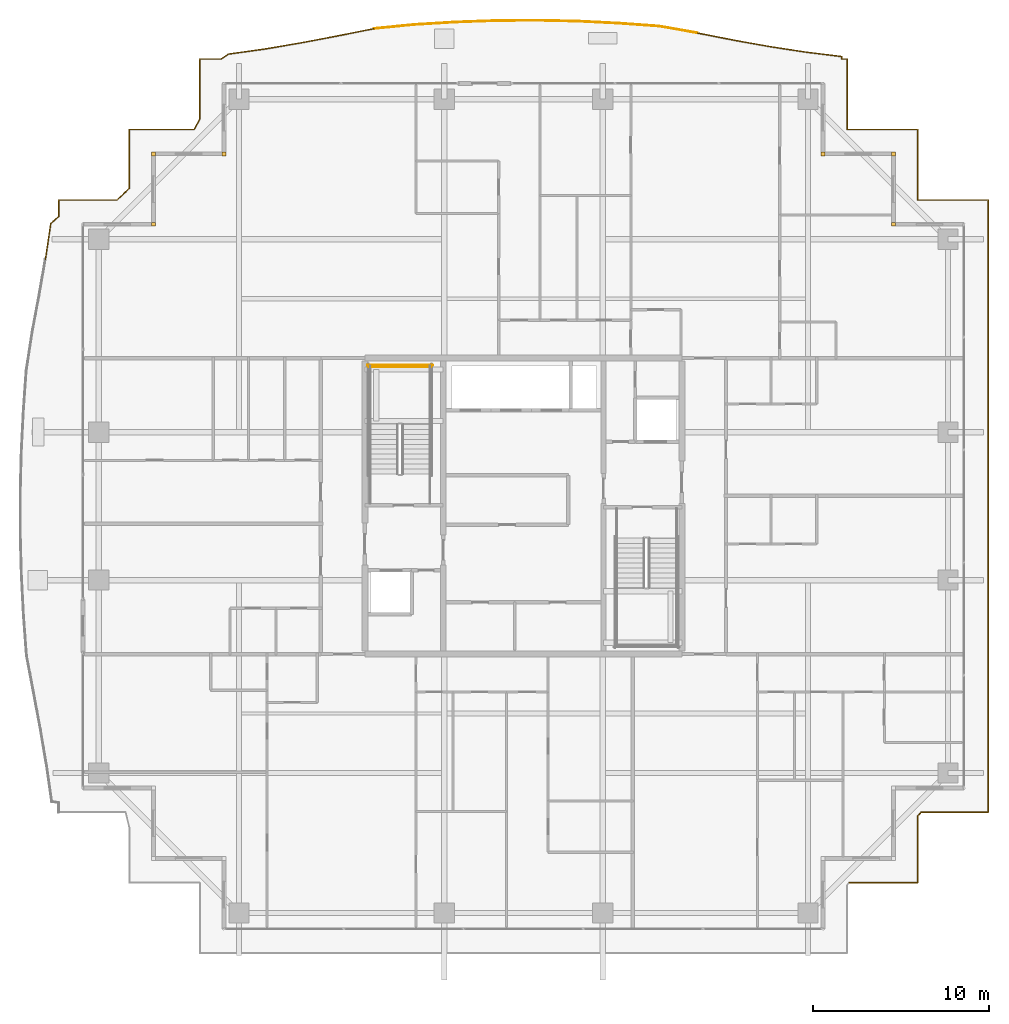
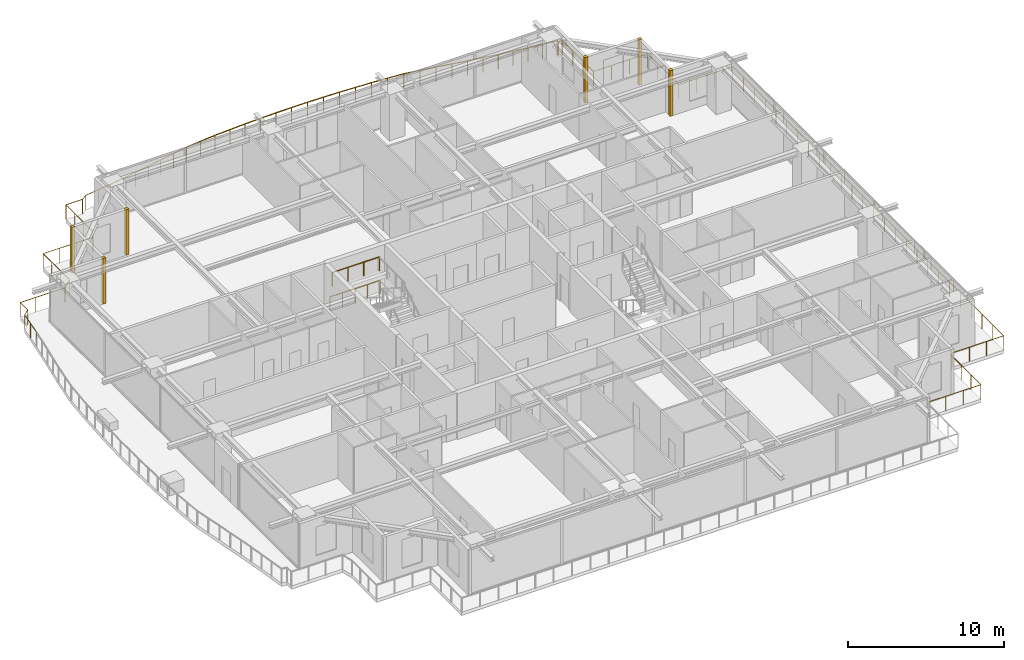
# One storey, part 38 of 38: 7 railings, 6 coverings.
"""IFC4 building model written with IfcOpenShell, lengths in metres."""

from ifc_helpers import new_model, si_unit, direction, frame, origin, origin_2d, place, context, subcontext, project, spatial, rectangle, circle, extrude, source, transform, mapped, material, layer, layer_set, type_object, element, save


model = new_model("IFC4")

# Units and contexts
model_context = context("Model", 3, precision=1e-05, world=origin(), true_north=direction((0.0, 1.0)))
body_context = subcontext(model_context, "Body", "Model", "MODEL_VIEW")
ifc_project = project(units=[si_unit("LENGTHUNIT", "METRE"), si_unit("AREAUNIT", "SQUARE_METRE"), si_unit("VOLUMEUNIT", "CUBIC_METRE"), si_unit("PLANEANGLEUNIT", "RADIAN"), si_unit("MASSUNIT", "GRAM", prefix="KILO")], contexts=[model_context])

# Site, building, storey
site_placement = place(None, origin())
site = spatial("IfcSite", under=ifc_project, at=site_placement, CompositionType="ELEMENT")
building_placement = place(site_placement, origin())
building = spatial("IfcBuilding", under=site, at=building_placement, Name="Serunith Strait Residences", CompositionType="ELEMENT")
storey_placement = place(building_placement, frame((0.0, 0.0, 268.199951171875)))
storey = spatial("IfcBuildingStorey", under=building, at=storey_placement, Name="L67", CompositionType="ELEMENT", Elevation=268.199951171875)

# Railings
ifc_material_1 = material(Name="Stainless Steel & Laminated Glass Balustrade", Category="steel")
railing_type_1 = type_object("IfcRailingType", Name="RLG-BALC-1150", PredefinedType="BALUSTRADE", material=ifc_material_1)
railing_1_placement = place(storey_placement, frame((5.26708984375, 39.21875, -0.050048828125)))
element("IfcRailing", 1, at=railing_1_placement, inside=storey, type_object=railing_type_1, Name="L67 Swirling Balcony Perimeter Balustrade 3", PredefinedType="BALUSTRADE", context=body_context, shape_type="SweptSolid", body=[
    extrude(circle(Radius=0.02392578125, at=origin_2d()), frame((0.000244140625, 0.001953125, 1.1259765625), z_axis=(0.148183683487, 0.98895985558, 0.0), x_axis=(-0.98895985558, 0.148183683487, 0.0)), (0.0, 0.0, 1.0), 2.05224609375),
    extrude(circle(Radius=0.02392578125, at=origin_2d()), frame((0.30615234375, 2.03466796875, 1.1259765625), z_axis=(0.763496688996, 0.645811741836, 0.0), x_axis=(-0.645811741836, 0.763496688996, 0.0)), (0.0, 0.0, 1.0), 0.5830078125),
    extrude(circle(Radius=0.02392578125, at=origin_2d()), frame((0.7529296875, 2.41455078125, 1.1259765625), z_axis=(0.0, 1.0, 0.0), x_axis=(-1.0, 0.0, 0.0)), (0.0, 0.0, 1.0), 0.94482421875),
    extrude(circle(Radius=0.02392578125, at=origin_2d()), frame((0.7548828125, 3.361328125, 1.1259765625), z_axis=(1.0, 0.0, 0.0), x_axis=(0.0, 1.0, 0.0)), (0.0, 0.0, 1.0), 3.30419921875),
    extrude(circle(Radius=0.02392578125, at=origin_2d()), frame((4.0625, 3.36279296875, 1.1259765625), z_axis=(0.730420716407, 0.68299749417, 0.0), x_axis=(-0.68299749417, 0.730420716407, 0.0)), (0.0, 0.0, 1.0), 0.943359375),
    extrude(circle(Radius=0.02392578125, at=origin_2d()), frame((4.7529296875, 4.01025390625, 1.1259765625), z_axis=(0.0, 1.0, 0.0), x_axis=(-1.0, 0.0, 0.0)), (0.0, 0.0, 1.0), 3.34912109375),
    extrude(circle(Radius=0.02392578125, at=origin_2d()), frame((4.7548828125, 7.361328125, 1.1259765625), z_axis=(1.0, 0.0, 0.0), x_axis=(0.0, 1.0, 0.0)), (0.0, 0.0, 1.0), 3.6826171875),
    extrude(circle(Radius=0.02099609375, at=origin_2d()), origin(), (0.0, 0.0, 1.0), 1.099853515625),
    extrude(circle(Radius=0.02099609375, at=origin_2d()), frame((0.15234375, 1.0166015625, 0.0)), (0.0, 0.0, 1.0), 1.099853515625),
    extrude(circle(Radius=0.02099609375, at=origin_2d()), frame((0.3046875, 2.033447265625, 0.0)), (0.0, 0.0, 1.0), 1.099853515625),
    extrude(circle(Radius=0.02099609375, at=origin_2d()), frame((0.7529296875, 2.41259765625, 0.0)), (0.0, 0.0, 1.0), 1.099853515625),
    extrude(circle(Radius=0.02099609375, at=origin_2d()), frame((0.7529296875, 3.361328125, 0.0)), (0.0, 0.0, 1.0), 1.099853515625),
    extrude(circle(Radius=0.02099609375, at=origin_2d()), frame((1.855712890625, 3.361328125, 0.0)), (0.0, 0.0, 1.0), 1.099853515625),
    extrude(circle(Radius=0.02099609375, at=origin_2d()), frame((2.958251953125, 3.361328125, 0.0)), (0.0, 0.0, 1.0), 1.099853515625),
    extrude(circle(Radius=0.02099609375, at=origin_2d()), frame((4.06103515625, 3.361328125, 0.0)), (0.0, 0.0, 1.0), 1.099853515625),
    extrude(circle(Radius=0.02099609375, at=origin_2d()), frame((4.7529296875, 4.00830078125, 0.0)), (0.0, 0.0, 1.0), 1.099853515625),
    extrude(circle(Radius=0.02099609375, at=origin_2d()), frame((4.7529296875, 5.1259765625, 0.0)), (0.0, 0.0, 1.0), 1.099853515625),
    extrude(circle(Radius=0.02099609375, at=origin_2d()), frame((4.7529296875, 6.24365234375, 0.0)), (0.0, 0.0, 1.0), 1.099853515625),
    extrude(circle(Radius=0.02099609375, at=origin_2d()), frame((4.7529296875, 7.361328125, 0.0)), (0.0, 0.0, 1.0), 1.099853515625),
    extrude(circle(Radius=0.02099609375, at=origin_2d()), frame((5.981689453125, 7.361328125, 0.0)), (0.0, 0.0, 1.0), 1.099853515625),
    extrude(circle(Radius=0.02099609375, at=origin_2d()), frame((7.210693359375, 7.361328125, 0.0)), (0.0, 0.0, 1.0), 1.099853515625),
    extrude(circle(Radius=0.02099609375, at=origin_2d()), frame((8.439453125, 7.361328125, 0.0)), (0.0, 0.0, 1.0), 1.099853515625),
])
railing_2_placement = place(storey_placement, frame((13.70654296875, 46.580078125, -0.050048828125)))
element("IfcRailing", 2, at=railing_2_placement, inside=storey, type_object=railing_type_1, Name="L67 Swirling Balcony Perimeter Balustrade 4", PredefinedType="BALUSTRADE", context=body_context, shape_type="SweptSolid", body=[
    extrude(circle(Radius=0.02392578125, at=origin_2d()), frame((0.0009765625, 0.001708984375, 1.1259765625), z_axis=(0.483754465912, 0.875203757253, 0.0), x_axis=(-0.875203757253, 0.483754465912, 0.0)), (0.0, 0.0, 1.0), 0.64404296875),
    extrude(circle(Radius=0.02392578125, at=origin_2d()), frame((0.3134765625, 0.569091796875, 1.1259765625), z_axis=(0.0, 1.0, 0.0), x_axis=(-1.0, 0.0, 0.0)), (0.0, 0.0, 1.0), 3.428955078125),
    extrude(circle(Radius=0.02392578125, at=origin_2d()), frame((0.3154296875, 4.0, 1.1259765625), z_axis=(1.0, 0.0, 0.0), x_axis=(0.0, 1.0, 0.0)), (0.0, 0.0, 1.0), 1.221923828125),
    extrude(circle(Radius=0.02392578125, at=origin_2d()), frame((1.541015625, 4.001220703125, 1.1259765625), z_axis=(0.820489937857, 0.571660967599, 0.0), x_axis=(-0.571660967599, 0.820489937857, 0.0)), (0.0, 0.0, 1.0), 0.487548828125),
    extrude(circle(Radius=0.02392578125, at=origin_2d()), frame((1.944580078125, 4.28125, 1.1259765625), z_axis=(0.990403373105, 0.138206941008, 0.0), x_axis=(-0.138206941008, 0.990403373105, 0.0)), (0.0, 0.0, 1.0), 2.0380859375),
    extrude(circle(Radius=0.02392578125, at=origin_2d()), frame((3.967041015625, 4.5634765625, 1.1259765625), z_axis=(0.986134504275, 0.165948002334, 0.0), x_axis=(-0.165948002334, 0.986134504275, 0.0)), (0.0, 0.0, 1.0), 2.06591796875),
    extrude(circle(Radius=0.02392578125, at=origin_2d()), frame((6.00830078125, 4.9072265625, 1.1259765625), z_axis=(0.982336546839, 0.18712271039, 0.0), x_axis=(-0.18712271039, 0.982336546839, 0.0)), (0.0, 0.0, 1.0), 2.1123046875),
    extrude(circle(Radius=0.02392578125, at=origin_2d()), frame((8.087158203125, 5.30322265625, 1.1259765625), z_axis=(0.980834105558, 0.194844700659, 0.0), x_axis=(-0.194844700659, 0.980834105558, 0.0)), (0.0, 0.0, 1.0), 2.175048828125),
    extrude(circle(Radius=0.02099609375, at=origin_2d()), origin(), (0.0, 0.0, 1.0), 1.099853515625),
    extrude(circle(Radius=0.02099609375, at=origin_2d()), frame((0.3134765625, 0.567138671875, 0.0)), (0.0, 0.0, 1.0), 1.099853515625),
    extrude(circle(Radius=0.02099609375, at=origin_2d()), frame((0.3134765625, 1.71142578125, 0.0)), (0.0, 0.0, 1.0), 1.099853515625),
    extrude(circle(Radius=0.02099609375, at=origin_2d()), frame((0.3134765625, 2.855712890625, 0.0)), (0.0, 0.0, 1.0), 1.099853515625),
    extrude(circle(Radius=0.02099609375, at=origin_2d()), frame((0.3134765625, 4.0, 0.0)), (0.0, 0.0, 1.0), 1.099853515625),
    extrude(circle(Radius=0.02099609375, at=origin_2d()), frame((1.539306640625, 4.0, 0.0)), (0.0, 0.0, 1.0), 1.099853515625),
    extrude(circle(Radius=0.02099609375, at=origin_2d()), frame((1.942626953125, 4.281005859375, 0.0)), (0.0, 0.0, 1.0), 1.099853515625),
    extrude(circle(Radius=0.02099609375, at=origin_2d()), frame((2.953857421875, 4.422119140625, 0.0)), (0.0, 0.0, 1.0), 1.099853515625),
    extrude(circle(Radius=0.02099609375, at=origin_2d()), frame((3.965087890625, 4.563232421875, 0.0)), (0.0, 0.0, 1.0), 1.099853515625),
    extrude(circle(Radius=0.02099609375, at=origin_2d()), frame((4.98583984375, 4.73486328125, 0.0)), (0.0, 0.0, 1.0), 1.099853515625),
    extrude(circle(Radius=0.02099609375, at=origin_2d()), frame((6.00634765625, 4.90673828125, 0.0)), (0.0, 0.0, 1.0), 1.099853515625),
    extrude(circle(Radius=0.02099609375, at=origin_2d()), frame((7.0458984375, 5.104736328125, 0.0)), (0.0, 0.0, 1.0), 1.099853515625),
    extrude(circle(Radius=0.02099609375, at=origin_2d()), frame((8.085205078125, 5.302734375, 0.0)), (0.0, 0.0, 1.0), 1.099853515625),
    extrude(circle(Radius=0.02099609375, at=origin_2d()), frame((9.15380859375, 5.51513671875, 0.0)), (0.0, 0.0, 1.0), 1.099853515625),
    extrude(circle(Radius=0.02099609375, at=origin_2d()), frame((10.222412109375, 5.727294921875, 0.0)), (0.0, 0.0, 1.0), 1.099853515625),
])
railing_3_placement = place(storey_placement, frame((23.928955078125, 52.307373046875, -0.050048828125)))
element("IfcRailing", 3, at=railing_3_placement, inside=storey, type_object=railing_type_1, Name="L67 Swirling Balcony Perimeter Balustrade 5", PredefinedType="BALUSTRADE", context=body_context, shape_type="SweptSolid", body=[
    extrude(circle(Radius=0.02392578125, at=origin_2d()), frame((0.001953125, 0.000244140625, 1.1259765625), z_axis=(0.995183293073, 0.098031694815, 0.0), x_axis=(-0.098031694815, 0.995183293073, 0.0)), (0.0, 0.0, 1.0), 2.26220703125),
    extrude(circle(Radius=0.02392578125, at=origin_2d()), frame((2.25732421875, 0.22216796875, 1.1259765625), z_axis=(0.998137608093, 0.061002584458, 0.0), x_axis=(-0.061002584458, 0.998137608093, 0.0)), (0.0, 0.0, 1.0), 2.30517578125),
    extrude(circle(Radius=0.02392578125, at=origin_2d()), frame((4.562255859375, 0.363037109375, 1.1259765625), z_axis=(0.999352147611, 0.035990068968, 0.0), x_axis=(-0.035990068968, 0.999352147611, 0.0)), (0.0, 0.0, 1.0), 2.32958984375),
    extrude(circle(Radius=0.02392578125, at=origin_2d()), frame((6.894287109375, 0.447021484375, 1.1259765625), z_axis=(0.999971899607, 0.007496665636, 0.0), x_axis=(-0.007496665636, 0.999971899607, 0.0)), (0.0, 0.0, 1.0), 2.3408203125),
    extrude(circle(Radius=0.02392578125, at=origin_2d()), frame((9.239013671875, 0.464599609375, 1.1259765625), z_axis=(0.999764527454, -0.02169999183, 0.0), x_axis=(0.02169999183, 0.999764527454, 0.0)), (0.0, 0.0, 1.0), 2.336181640625),
    extrude(circle(Radius=0.02392578125, at=origin_2d()), frame((11.57861328125, 0.413818359375, 1.1259765625), z_axis=(0.998793175385, -0.049114079489, 0.0), x_axis=(0.049114079489, 0.998793175385, 0.0)), (0.0, 0.0, 1.0), 2.3173828125),
    extrude(circle(Radius=0.02392578125, at=origin_2d()), frame((13.897216796875, 0.299560546875, 1.1259765625), z_axis=(0.997393917556, -0.072148272485, 0.0), x_axis=(0.072148272485, 0.997393917556, 0.0)), (0.0, 0.0, 1.0), 2.286865234375),
    extrude(circle(Radius=0.02392578125, at=origin_2d()), frame((16.18212890625, 0.13427734375, 1.1259765625), z_axis=(0.984781334143, -0.173797939931, 0.0), x_axis=(0.173797939931, 0.984781334143, 0.0)), (0.0, 0.0, 1.0), 2.20556640625),
    extrude(circle(Radius=0.02099609375, at=origin_2d()), origin(), (0.0, 0.0, 1.0), 1.099853515625),
    extrude(circle(Radius=0.02099609375, at=origin_2d()), frame((1.127685546875, 0.111083984375, 0.0)), (0.0, 0.0, 1.0), 1.099853515625),
    extrude(circle(Radius=0.02099609375, at=origin_2d()), frame((2.25537109375, 0.22216796875, 0.0)), (0.0, 0.0, 1.0), 1.099853515625),
    extrude(circle(Radius=0.02099609375, at=origin_2d()), frame((3.40771484375, 0.29248046875, 0.0)), (0.0, 0.0, 1.0), 1.099853515625),
    extrude(circle(Radius=0.02099609375, at=origin_2d()), frame((4.560302734375, 0.363037109375, 0.0)), (0.0, 0.0, 1.0), 1.099853515625),
    extrude(circle(Radius=0.02099609375, at=origin_2d()), frame((5.726318359375, 0.405029296875, 0.0)), (0.0, 0.0, 1.0), 1.099853515625),
    extrude(circle(Radius=0.02099609375, at=origin_2d()), frame((6.892333984375, 0.447021484375, 0.0)), (0.0, 0.0, 1.0), 1.099853515625),
    extrude(circle(Radius=0.02099609375, at=origin_2d()), frame((8.064697265625, 0.455810546875, 0.0)), (0.0, 0.0, 1.0), 1.099853515625),
    extrude(circle(Radius=0.02099609375, at=origin_2d()), frame((9.237060546875, 0.464599609375, 0.0)), (0.0, 0.0, 1.0), 1.099853515625),
    extrude(circle(Radius=0.02099609375, at=origin_2d()), frame((10.40673828125, 0.439208984375, 0.0)), (0.0, 0.0, 1.0), 1.099853515625),
    extrude(circle(Radius=0.02099609375, at=origin_2d()), frame((11.57666015625, 0.413818359375, 0.0)), (0.0, 0.0, 1.0), 1.099853515625),
    extrude(circle(Radius=0.02099609375, at=origin_2d()), frame((12.73583984375, 0.35693359375, 0.0)), (0.0, 0.0, 1.0), 1.099853515625),
    extrude(circle(Radius=0.02099609375, at=origin_2d()), frame((13.895263671875, 0.2998046875, 0.0)), (0.0, 0.0, 1.0), 1.099853515625),
    extrude(circle(Radius=0.02099609375, at=origin_2d()), frame((15.03759765625, 0.21728515625, 0.0)), (0.0, 0.0, 1.0), 1.099853515625),
    extrude(circle(Radius=0.02099609375, at=origin_2d()), frame((16.18017578125, 0.134521484375, 0.0)), (0.0, 0.0, 1.0), 1.099853515625),
    extrude(circle(Radius=0.02099609375, at=origin_2d()), frame((17.26806640625, -0.0576171875, 0.0)), (0.0, 0.0, 1.0), 1.099853515625),
    extrude(circle(Radius=0.02099609375, at=origin_2d()), frame((18.356201171875, -0.24951171875, 0.0)), (0.0, 0.0, 1.0), 1.099853515625),
])
railing_4_placement = place(storey_placement, frame((42.28515625, 52.057861328125, -0.050048828125)))
element("IfcRailing", 4, at=railing_4_placement, inside=storey, type_object=railing_type_1, Name="L67 Swirling Balcony Perimeter Balustrade 6", PredefinedType="BALUSTRADE", context=body_context, shape_type="SweptSolid", body=[
    extrude(circle(Radius=0.02392578125, at=origin_2d()), frame((0.001953125, -0.00048828125, 1.1259765625), z_axis=(0.981225288264, -0.19286506597, 0.0), x_axis=(0.19286506597, 0.981225288264, 0.0)), (0.0, 0.0, 1.0), 2.134033203125),
    extrude(circle(Radius=0.02392578125, at=origin_2d()), frame((2.099853515625, -0.41259765625, 1.1259765625), z_axis=(0.98436817176, -0.176122975295, 0.0), x_axis=(0.176122975295, 0.98436817176, 0.0)), (0.0, 0.0, 1.0), 2.080810546875),
    extrude(circle(Radius=0.02392578125, at=origin_2d()), frame((4.152099609375, -0.77978515625, 1.1259765625), z_axis=(0.988657697804, -0.150186406087, 0.0), x_axis=(0.150186406087, 0.988657697804, 0.0)), (0.0, 0.0, 1.0), 2.0458984375),
    extrude(circle(Radius=0.02392578125, at=origin_2d()), frame((6.1787109375, -1.087646484375, 1.1259765625), z_axis=(0.992550848916, -0.12183108108, 0.0), x_axis=(0.12183108108, 0.992550848916, 0.0)), (0.0, 0.0, 1.0), 2.028076171875),
    extrude(circle(Radius=0.02392578125, at=origin_2d()), frame((8.193603515625, -1.3369140625, 1.1259765625), z_axis=(-0.008546696379, -0.999963476324, 0.0), x_axis=(0.999963476324, -0.008546696379, 0.0)), (0.0, 0.0, 1.0), 0.138916015625),
    extrude(circle(Radius=0.02392578125, at=origin_2d()), frame((8.1943359375, -1.477783203125, 1.1259765625), z_axis=(1.0, 0.0, 0.0), x_axis=(0.0, 1.0, 0.0)), (0.0, 0.0, 1.0), 0.298583984375),
    extrude(circle(Radius=0.02392578125, at=origin_2d()), frame((8.494873046875, -1.479736328125, 1.1259765625), z_axis=(0.0, -1.0, 0.0), x_axis=(1.0, 0.0, 0.0)), (0.0, 0.0, 1.0), 3.99609375),
    extrude(circle(Radius=0.02099609375, at=origin_2d()), origin(), (0.0, 0.0, 1.0), 1.099853515625),
    extrude(circle(Radius=0.02099609375, at=origin_2d()), frame((1.048828125, -0.2060546875, 0.0)), (0.0, 0.0, 1.0), 1.099853515625),
    extrude(circle(Radius=0.02099609375, at=origin_2d()), frame((2.097900390625, -0.412353515625, 0.0)), (0.0, 0.0, 1.0), 1.099853515625),
    extrude(circle(Radius=0.02099609375, at=origin_2d()), frame((3.1240234375, -0.595947265625, 0.0)), (0.0, 0.0, 1.0), 1.099853515625),
    extrude(circle(Radius=0.02099609375, at=origin_2d()), frame((4.150146484375, -0.779541015625, 0.0)), (0.0, 0.0, 1.0), 1.099853515625),
    extrude(circle(Radius=0.02099609375, at=origin_2d()), frame((5.16357421875, -0.93359375, 0.0)), (0.0, 0.0, 1.0), 1.099853515625),
    extrude(circle(Radius=0.02099609375, at=origin_2d()), frame((6.1767578125, -1.08740234375, 0.0)), (0.0, 0.0, 1.0), 1.099853515625),
    extrude(circle(Radius=0.02099609375, at=origin_2d()), frame((7.18505859375, -1.211181640625, 0.0)), (0.0, 0.0, 1.0), 1.099853515625),
    extrude(circle(Radius=0.02099609375, at=origin_2d()), frame((8.193603515625, -1.3349609375, 0.0)), (0.0, 0.0, 1.0), 1.099853515625),
    extrude(circle(Radius=0.02099609375, at=origin_2d()), frame((8.1923828125, -1.477783203125, 0.0)), (0.0, 0.0, 1.0), 1.099853515625),
    extrude(circle(Radius=0.02099609375, at=origin_2d()), frame((8.494873046875, -1.477783203125, 0.0)), (0.0, 0.0, 1.0), 1.099853515625),
    extrude(circle(Radius=0.02099609375, at=origin_2d()), frame((8.494873046875, -2.81103515625, 0.0)), (0.0, 0.0, 1.0), 1.099853515625),
    extrude(circle(Radius=0.02099609375, at=origin_2d()), frame((8.494873046875, -4.14453125, 0.0)), (0.0, 0.0, 1.0), 1.099853515625),
    extrude(circle(Radius=0.02099609375, at=origin_2d()), frame((8.494873046875, -5.477783203125, 0.0)), (0.0, 0.0, 1.0), 1.099853515625),
])
railing_5_placement = place(storey_placement, frame((50.780029296875, 46.580078125, -0.050048828125)))
element("IfcRailing", 5, at=railing_5_placement, inside=storey, type_object=railing_type_1, Name="L67 Swirling Balcony Perimeter Balustrade 7", PredefinedType="BALUSTRADE", context=body_context, shape_type="SweptSolid", body=[
    extrude(circle(Radius=0.02392578125, at=origin_2d()), frame((0.001953125, 0.0, 1.1259765625), z_axis=(1.0, 0.0, 0.0), x_axis=(0.0, 1.0, 0.0)), (0.0, 0.0, 1.0), 3.99609375),
    extrude(circle(Radius=0.02392578125, at=origin_2d()), frame((4.0, -0.001953125, 1.1259765625), z_axis=(0.0, -1.0, 0.0), x_axis=(1.0, 0.0, 0.0)), (0.0, 0.0, 1.0), 3.99609375),
    extrude(circle(Radius=0.02392578125, at=origin_2d()), frame((4.001953125, -4.0, 1.1259765625), z_axis=(1.0, 0.0, 0.0), x_axis=(0.0, 1.0, 0.0)), (0.0, 0.0, 1.0), 3.99609375),
    extrude(circle(Radius=0.02392578125, at=origin_2d()), frame((8.0, -4.001953125, 1.1259765625), z_axis=(0.0, -1.0, 0.0), x_axis=(1.0, 0.0, 0.0)), (0.0, 0.0, 1.0), 34.756103515625),
    extrude(circle(Radius=0.02392578125, at=origin_2d()), frame((7.998046875, -38.760009765625, 1.1259765625), z_axis=(-1.0, 0.0, 0.0), x_axis=(0.0, -1.0, 0.0)), (0.0, 0.0, 1.0), 3.801025390625),
    extrude(circle(Radius=0.02392578125, at=origin_2d()), frame((4.19384765625, -38.761474609375, 1.1259765625), z_axis=(-0.659789800433, -0.751450210756, 0.0), x_axis=(0.751450210756, -0.659789800433, 0.0)), (0.0, 0.0, 1.0), 0.291748046875),
    extrude(circle(Radius=0.02392578125, at=origin_2d()), frame((4.0, -38.984130859375, 1.1259765625), z_axis=(0.0, -1.0, 0.0), x_axis=(1.0, 0.0, 0.0)), (0.0, 0.0, 1.0), 3.77392578125),
    extrude(circle(Radius=0.02392578125, at=origin_2d()), frame((3.998046875, -42.760009765625, 1.1259765625), z_axis=(-1.0, 0.0, 0.0), x_axis=(0.0, -1.0, 0.0)), (0.0, 0.0, 1.0), 3.89501953125),
    extrude(circle(Radius=0.02099609375, at=origin_2d()), origin(), (0.0, 0.0, 1.0), 1.099853515625),
    extrude(circle(Radius=0.02099609375, at=origin_2d()), frame((1.333251953125, 0.0, 0.0)), (0.0, 0.0, 1.0), 1.099853515625),
    extrude(circle(Radius=0.02099609375, at=origin_2d()), frame((2.666748046875, 0.0, 0.0)), (0.0, 0.0, 1.0), 1.099853515625),
    extrude(circle(Radius=0.02099609375, at=origin_2d()), frame((4.0, 0.0, 0.0)), (0.0, 0.0, 1.0), 1.099853515625),
    extrude(circle(Radius=0.02099609375, at=origin_2d()), frame((4.0, -1.333251953125, 0.0)), (0.0, 0.0, 1.0), 1.099853515625),
    extrude(circle(Radius=0.02099609375, at=origin_2d()), frame((4.0, -2.666748046875, 0.0)), (0.0, 0.0, 1.0), 1.099853515625),
    extrude(circle(Radius=0.02099609375, at=origin_2d()), frame((4.0, -4.0, 0.0)), (0.0, 0.0, 1.0), 1.099853515625),
    extrude(circle(Radius=0.02099609375, at=origin_2d()), frame((5.333251953125, -4.0, 0.0)), (0.0, 0.0, 1.0), 1.099853515625),
    extrude(circle(Radius=0.02099609375, at=origin_2d()), frame((6.666748046875, -4.0, 0.0)), (0.0, 0.0, 1.0), 1.099853515625),
    extrude(circle(Radius=0.02099609375, at=origin_2d()), frame((8.0, -4.0, 0.0)), (0.0, 0.0, 1.0), 1.099853515625),
    extrude(circle(Radius=0.02099609375, at=origin_2d()), frame((8.0, -5.390380859375, 0.0)), (0.0, 0.0, 1.0), 1.099853515625),
    extrude(circle(Radius=0.02099609375, at=origin_2d()), frame((8.0, -6.78076171875, 0.0)), (0.0, 0.0, 1.0), 1.099853515625),
    extrude(circle(Radius=0.02099609375, at=origin_2d()), frame((8.0, -8.171142578125, 0.0)), (0.0, 0.0, 1.0), 1.099853515625),
    extrude(circle(Radius=0.02099609375, at=origin_2d()), frame((8.0, -9.5615234375, 0.0)), (0.0, 0.0, 1.0), 1.099853515625),
    extrude(circle(Radius=0.02099609375, at=origin_2d()), frame((8.0, -10.951904296875, 0.0)), (0.0, 0.0, 1.0), 1.099853515625),
    extrude(circle(Radius=0.02099609375, at=origin_2d()), frame((8.0, -12.34228515625, 0.0)), (0.0, 0.0, 1.0), 1.099853515625),
    extrude(circle(Radius=0.02099609375, at=origin_2d()), frame((8.0, -13.73291015625, 0.0)), (0.0, 0.0, 1.0), 1.099853515625),
    extrude(circle(Radius=0.02099609375, at=origin_2d()), frame((8.0, -15.123291015625, 0.0)), (0.0, 0.0, 1.0), 1.099853515625),
    extrude(circle(Radius=0.02099609375, at=origin_2d()), frame((8.0, -16.513671875, 0.0)), (0.0, 0.0, 1.0), 1.099853515625),
    extrude(circle(Radius=0.02099609375, at=origin_2d()), frame((8.0, -17.904052734375, 0.0)), (0.0, 0.0, 1.0), 1.099853515625),
    extrude(circle(Radius=0.02099609375, at=origin_2d()), frame((8.0, -19.29443359375, 0.0)), (0.0, 0.0, 1.0), 1.099853515625),
    extrude(circle(Radius=0.02099609375, at=origin_2d()), frame((8.0, -20.684814453125, 0.0)), (0.0, 0.0, 1.0), 1.099853515625),
    extrude(circle(Radius=0.02099609375, at=origin_2d()), frame((8.0, -22.0751953125, 0.0)), (0.0, 0.0, 1.0), 1.099853515625),
    extrude(circle(Radius=0.02099609375, at=origin_2d()), frame((8.0, -23.465576171875, 0.0)), (0.0, 0.0, 1.0), 1.099853515625),
    extrude(circle(Radius=0.02099609375, at=origin_2d()), frame((8.0, -24.85595703125, 0.0)), (0.0, 0.0, 1.0), 1.099853515625),
    extrude(circle(Radius=0.02099609375, at=origin_2d()), frame((8.0, -26.246337890625, 0.0)), (0.0, 0.0, 1.0), 1.099853515625),
    extrude(circle(Radius=0.02099609375, at=origin_2d()), frame((8.0, -27.63671875, 0.0)), (0.0, 0.0, 1.0), 1.099853515625),
    extrude(circle(Radius=0.02099609375, at=origin_2d()), frame((8.0, -29.027099609375, 0.0)), (0.0, 0.0, 1.0), 1.099853515625),
    extrude(circle(Radius=0.02099609375, at=origin_2d()), frame((8.0, -30.417724609375, 0.0)), (0.0, 0.0, 1.0), 1.099853515625),
    extrude(circle(Radius=0.02099609375, at=origin_2d()), frame((8.0, -31.80810546875, 0.0)), (0.0, 0.0, 1.0), 1.099853515625),
    extrude(circle(Radius=0.02099609375, at=origin_2d()), frame((8.0, -33.198486328125, 0.0)), (0.0, 0.0, 1.0), 1.099853515625),
    extrude(circle(Radius=0.02099609375, at=origin_2d()), frame((8.0, -34.5888671875, 0.0)), (0.0, 0.0, 1.0), 1.099853515625),
    extrude(circle(Radius=0.02099609375, at=origin_2d()), frame((8.0, -35.979248046875, 0.0)), (0.0, 0.0, 1.0), 1.099853515625),
    extrude(circle(Radius=0.02099609375, at=origin_2d()), frame((8.0, -37.36962890625, 0.0)), (0.0, 0.0, 1.0), 1.099853515625),
    extrude(circle(Radius=0.02099609375, at=origin_2d()), frame((8.0, -38.760009765625, 0.0)), (0.0, 0.0, 1.0), 1.099853515625),
    extrude(circle(Radius=0.02099609375, at=origin_2d()), frame((6.731689453125, -38.760009765625, 0.0)), (0.0, 0.0, 1.0), 1.099853515625),
    extrude(circle(Radius=0.02099609375, at=origin_2d()), frame((5.46337890625, -38.760009765625, 0.0)), (0.0, 0.0, 1.0), 1.099853515625),
    extrude(circle(Radius=0.02099609375, at=origin_2d()), frame((4.195068359375, -38.760009765625, 0.0)), (0.0, 0.0, 1.0), 1.099853515625),
    extrude(circle(Radius=0.02099609375, at=origin_2d()), frame((4.0, -38.982177734375, 0.0)), (0.0, 0.0, 1.0), 1.099853515625),
    extrude(circle(Radius=0.02099609375, at=origin_2d()), frame((4.0, -40.241455078125, 0.0)), (0.0, 0.0, 1.0), 1.099853515625),
    extrude(circle(Radius=0.02099609375, at=origin_2d()), frame((4.0, -41.500732421875, 0.0)), (0.0, 0.0, 1.0), 1.099853515625),
    extrude(circle(Radius=0.02099609375, at=origin_2d()), frame((4.0, -42.760009765625, 0.0)), (0.0, 0.0, 1.0), 1.099853515625),
    extrude(circle(Radius=0.02099609375, at=origin_2d()), frame((2.700439453125, -42.760009765625, 0.0)), (0.0, 0.0, 1.0), 1.099853515625),
    extrude(circle(Radius=0.02099609375, at=origin_2d()), frame((1.400634765625, -42.760009765625, 0.0)), (0.0, 0.0, 1.0), 1.099853515625),
    extrude(circle(Radius=0.02099609375, at=origin_2d()), frame((0.10107421875, -42.760009765625, 0.0)), (0.0, 0.0, 1.0), 1.099853515625),
])
ifc_material_2 = material(Name="Brushed stainless steel 316L", Category="steel")
railing_type_2 = type_object("IfcRailingType", Name="RLG-STAIR-GUARD", PredefinedType="BALUSTRADE", material=ifc_material_2)
railing_6_placement = place(storey_placement, frame((27.14990234375, 33.10009765625, 1.925048828125)))
element("IfcRailing", 6, at=railing_6_placement, inside=storey, type_object=railing_type_2, Name="L67 ST-1 stair guard 5", PredefinedType="BALUSTRADE", context=body_context, shape_type="SweptSolid", body=[
    extrude(circle(Radius=0.02392578125, at=origin_2d()), frame((-0.001953125, 0.0, 1.076171875), z_axis=(-1.0, 0.0, 0.0), x_axis=(0.0, -1.0, 0.0)), (0.0, 0.0, 1.0), 3.49609375),
    extrude(circle(Radius=0.02099609375, at=origin_2d()), origin(), (0.0, 0.0, 1.0), 1.050048828125),
    extrude(circle(Radius=0.02099609375, at=origin_2d()), frame((-1.166748046875, 0.0, 0.0)), (0.0, 0.0, 1.0), 1.050048828125),
    extrude(circle(Radius=0.02099609375, at=origin_2d()), frame((-2.333251953125, 0.0, 0.0)), (0.0, 0.0, 1.0), 1.050048828125),
    extrude(circle(Radius=0.02099609375, at=origin_2d()), frame((-3.5, 0.0, 0.0)), (0.0, 0.0, 1.0), 1.050048828125),
])
railing_7_placement = place(storey_placement, frame((27.25, 33.199951171875, 0.0)))
element("IfcRailing", 7, at=railing_7_placement, inside=storey, type_object=railing_type_2, Name="L67 ST-1 stair guard 12", PredefinedType="BALUSTRADE", context=body_context, shape_type="SweptSolid", body=[
    extrude(circle(Radius=0.02392578125, at=origin_2d()), frame((-0.001953125, 0.0, 1.076171875), z_axis=(-1.0, 0.0, 0.0), x_axis=(0.0, -1.0, 0.0)), (0.0, 0.0, 1.0), 3.696044921875),
    extrude(circle(Radius=0.02099609375, at=origin_2d()), origin(), (0.0, 0.0, 1.0), 1.050048828125),
    extrude(circle(Radius=0.02099609375, at=origin_2d()), frame((-0.925048828125, 0.0, 0.0)), (0.0, 0.0, 1.0), 1.050048828125),
    extrude(circle(Radius=0.02099609375, at=origin_2d()), frame((-1.85009765625, 0.0, 0.0)), (0.0, 0.0, 1.0), 1.050048828125),
    extrude(circle(Radius=0.02099609375, at=origin_2d()), frame((-2.77490234375, 0.0, 0.0)), (0.0, 0.0, 1.0), 1.050048828125),
    extrude(circle(Radius=0.02099609375, at=origin_2d()), frame((-3.699951171875, 0.0, 0.0)), (0.0, 0.0, 1.0), 1.050048828125),
])

# Coverings
ifc_material_3 = material(Name="Pale-Champagne Anodised Aluminium", Category="aluminium")
ifc_layer = layer(ifc_material_3, 0.219970703125, Name="Pale-Champagne Anodised Aluminium")
ifc_layer_set = layer_set([ifc_layer], Name="Pale-Champagne Anodised Aluminium")
covering_type = type_object("IfcCoveringType", Name="COV-CORN-TRIM", PredefinedType="CLADDING", material=ifc_layer_set)
shared_shape = source(origin(), body_context, "Body", "SweptSolid", [
    extrude(rectangle(XDim=0.221923828125, YDim=0.221923828125, at=origin_2d()), origin(), (0.0, 0.0, 1.0), 3.574951171875),
])
for number, where, z_axis, x_axis, name in (
    (8, (53.39990234375, 41.199951171875, 0.0), (0.0, 0.0, 1.0), (1.0, 0.0, 0.0), "L67 Girih Serrated Corner Trim Post 07"),
    (9, (53.39990234375, 45.199951171875, 0.0), (0.0, 0.0, 1.0), (1.0, 0.0, 0.0), "L67 Girih Serrated Corner Trim Post 08"),
    (10, (49.39990234375, 45.199951171875, 0.0), (0.0, 0.0, 1.0), (1.0, 0.0, 0.0), "L67 Girih Serrated Corner Trim Post 09"),
    (11, (15.39990234375, 45.199951171875, 0.0), (0.0, 0.0, 1.0), (1.0, 0.0, 0.0), "L67 Girih Serrated Corner Trim Post 12"),
    (12, (11.39990234375, 45.199951171875, 0.0), (0.0, 0.0, 1.0), (1.0, 0.0, 0.0), "L67 Girih Serrated Corner Trim Post 13"),
    (13, (11.39990234375, 41.199951171875, 0.0), (0.0, 0.0, 1.0), (1.0, 0.0, 0.0), "L67 Girih Serrated Corner Trim Post 14"),
):
    element("IfcCovering", number, at=place(storey_placement, frame(where, z_axis=z_axis, x_axis=x_axis)), inside=storey, type_object=covering_type, Name=name, PredefinedType="CLADDING", context=body_context, shape_type="MappedRepresentation", body=[
        mapped(shared_shape, transform((0.0, 0.0, 0.0), scale=1.0)),
    ])

save(model, "model.ifc")
